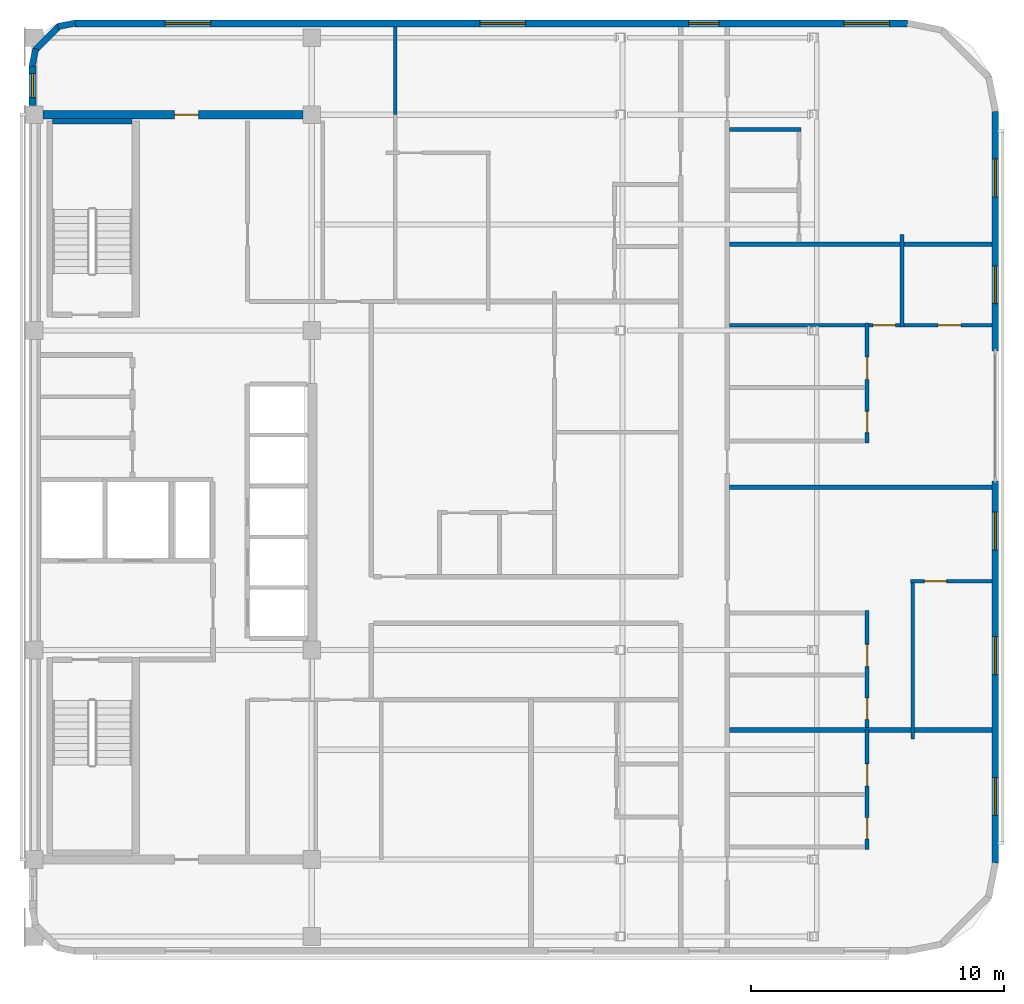
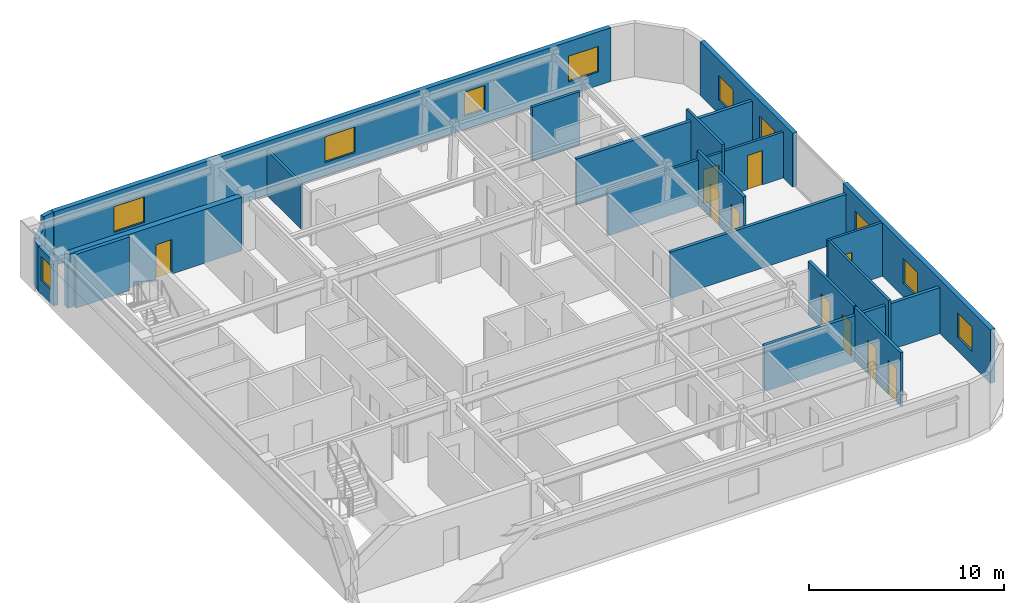
# One storey, part 6 of 10: 21 walls, 10 doors, 10 windows, 20 openings.
"""IFC4 building model written with IfcOpenShell, lengths in metres."""

import ifcopenshell
import ifcopenshell.guid

model = None  # the IFC model being written
_history = None  # IfcOwnerHistory: only IFC2X3 demands one
_inside = {}  # id of a spatial element -> (the spatial element, [elements in it])
_under = {}  # id of a project, library or spatial element -> (it, [spatial elements below it])
_declared = {}  # id of a project -> (the project, [libraries it declares])
_typed = {}  # id of a type object -> (the type object, [elements of that type])
_made_of = {}  # id of a material, layer set ... -> (it, [elements and type objects made of it])


def new_model(schema):
    """Start an empty IFC model of exactly this schema.

    Asked for "IFC4X3", IfcOpenShell would pick the latest addendum, in which some entities
    have other attributes; the version numbers below select the first issue.
    IFC2X3 requires an IfcOwnerHistory on every rooted entity: one is made here for all.
    """
    global model, _history
    if schema == "IFC4X3":
        model = ifcopenshell.file(schema_version=(4, 3, 0, 0))
    else:
        model = ifcopenshell.file(schema=schema)
    _inside.clear()
    _under.clear()
    _declared.clear()
    _typed.clear()
    _made_of.clear()
    _history = None
    if model.schema == "IFC2X3":
        org = make("IfcOrganization", Name="unknown")
        user = make(
            "IfcPersonAndOrganization",
            ThePerson=make("IfcPerson", FamilyName="unknown"),
            TheOrganization=org,
        )
        app = make(
            "IfcApplication",
            ApplicationDeveloper=org,
            Version="unknown",
            ApplicationFullName="unknown",
            ApplicationIdentifier="unknown",
        )
        _history = make(
            "IfcOwnerHistory",
            OwningUser=user,
            OwningApplication=app,
            ChangeAction="ADDED",
            CreationDate=0,
        )
    return model


def make(cls, **values):
    """One entity of the class cls with the attributes given. An attribute that is None is left unset."""
    return model.create_entity(
        cls, **{name: value for name, value in values.items() if value is not None}
    )


def rooted(cls, **values):
    """An entity with a GlobalId (a new one), such as an element, a storey or a relation."""
    return make(cls, GlobalId=ifcopenshell.guid.new(), OwnerHistory=_history, **values)


def si_unit(unit_type, name, prefix=None):
    """IfcSIUnit, for example si_unit("LENGTHUNIT", "METRE", prefix="MILLI")."""
    return make("IfcSIUnit", UnitType=unit_type, Prefix=prefix, Name=name)


def assignment(units):
    """IfcUnitAssignment: the units of a project."""
    return None if units is None else make("IfcUnitAssignment", Units=units)


def point(xyz):
    """IfcCartesianPoint."""
    return None if xyz is None else make("IfcCartesianPoint", Coordinates=xyz)


def direction(xyz):
    """IfcDirection."""
    return None if xyz is None else make("IfcDirection", DirectionRatios=xyz)


def frame(location, z_axis=None, x_axis=None):
    """IfcAxis2Placement3D, a coordinate frame: its origin and axes. An axis left out is left unset."""
    return make(
        "IfcAxis2Placement3D",
        Location=point(location),
        Axis=direction(z_axis),
        RefDirection=direction(x_axis),
    )


def frame_2d(location, x_axis=None):
    """IfcAxis2Placement2D, a coordinate frame in the plane: its origin and x axis."""
    return make(
        "IfcAxis2Placement2D", Location=point(location), RefDirection=direction(x_axis)
    )


def origin():
    """The frame at (0, 0, 0) with its axes left unset."""
    return frame((0.0, 0.0, 0.0))


def place(relative_to, where):
    """IfcLocalPlacement: puts the frame where relative to a parent placement (None: the world)."""
    return make(
        "IfcLocalPlacement", PlacementRelTo=relative_to, RelativePlacement=where
    )


def context(
    kind, dimensions, precision=None, world=None, true_north=None, identifier=None
):
    """IfcGeometricRepresentationContext, for example the 3D "Model" context."""
    return make(
        "IfcGeometricRepresentationContext",
        ContextIdentifier=identifier,
        ContextType=kind,
        CoordinateSpaceDimension=dimensions,
        Precision=precision,
        WorldCoordinateSystem=world,
        TrueNorth=true_north,
    )


def subcontext(parent, identifier, kind, view, scale=None):
    """IfcGeometricRepresentationSubContext, for example "Body" below "Model"."""
    return make(
        "IfcGeometricRepresentationSubContext",
        ContextIdentifier=identifier,
        ContextType=kind,
        ParentContext=parent,
        TargetScale=scale,
        TargetView=view,
    )


def project(units=None, contexts=None):
    """IfcProject with its units and contexts."""
    return rooted(
        "IfcProject",
        Name="project",
        RepresentationContexts=contexts,
        UnitsInContext=assignment(units),
    )


def spatial(cls, under=None, at=None, **own):
    """A site, building, storey or space (cls), placed at a placement, below another one or the project."""
    s = rooted(cls, ObjectPlacement=at, **own)
    if under is not None:
        _under.setdefault(under.id(), (under, []))[1].append(s)
    return s


def profile(cls, at=None, kind="AREA", **sizes):
    """A parametric profile (cls). Its sizes go by their IFC names, for example OverallWidth=200.0."""
    return make(cls, ProfileType=kind, Position=at, **sizes)


def rectangle(**sizes):
    """IfcRectangleProfileDef."""
    return profile("IfcRectangleProfileDef", **sizes)


def extrude(swept, where, along, depth):
    """IfcExtrudedAreaSolid: the profile swept, set in the frame where, extruded along a direction by depth."""
    return make(
        "IfcExtrudedAreaSolid",
        SweptArea=swept,
        Position=where,
        ExtrudedDirection=direction(along),
        Depth=depth,
    )


def shape(context_of_items, identifier, shape_type, items):
    """IfcShapeRepresentation: the items that make up one representation, for example the "Body"."""
    return make(
        "IfcShapeRepresentation",
        ContextOfItems=context_of_items,
        RepresentationIdentifier=identifier,
        RepresentationType=shape_type,
        Items=items,
    )


def material(Name=None, Category=None):
    """IfcMaterial."""
    return make("IfcMaterial", Name=Name, Category=Category)


def layer(
    of_material, thickness, ventilated=None, Name=None, Category=None, Priority=None
):
    """IfcMaterialLayer: one layer of a wall or slab, of a material (None: an air gap)."""
    return make(
        "IfcMaterialLayer",
        Material=of_material,
        LayerThickness=thickness,
        IsVentilated=ventilated,
        Name=Name,
        Category=Category,
        Priority=Priority,
    )


def layer_set(layers, Name=None):
    """IfcMaterialLayerSet."""
    return make("IfcMaterialLayerSet", MaterialLayers=layers, LayerSetName=Name)


def made_of(thing, what):
    """Note that an element or type object is made of a material, layer set ...; save() writes the relation."""
    if what is not None:
        _made_of.setdefault(what.id(), (what, []))[1].append(thing)
    return thing


def type_object(cls, material=None, **own):
    """A type object (cls), such as IfcWallType, which elements share."""
    return made_of(rooted(cls, **own), material)


def element(
    cls,
    number,
    at=None,
    inside=None,
    cuts=None,
    type_object=None,
    material=None,
    context=None,
    identifier="Body",
    shape_type=None,
    held_by="IfcProductDefinitionShape",
    body=None,
    shapes=None,
    **own,
):
    """One element of the class cls, such as IfcWall. Its Tag is "e" and its number.

    at: its placement. inside: the storey or other place that contains it. cuts: it is an
    opening in that element (IfcRelVoidsElement). A single representation is given by context,
    identifier, shape_type and body (its items); several are given by shapes. held_by: the class
    of the entity that holds the representations. save() writes the other relations.
    """
    e = rooted(cls, Tag="e%d" % number, ObjectPlacement=at, **own)
    if body is not None:
        shapes = [shape(context, identifier, shape_type, body)]
    if shapes is not None:
        e.Representation = make(held_by, Representations=shapes)
    if inside is not None:
        _inside.setdefault(inside.id(), (inside, []))[1].append(e)
    if cuts is not None:
        rooted(
            "IfcRelVoidsElement", RelatingBuildingElement=cuts, RelatedOpeningElement=e
        )
    if type_object is not None:
        _typed.setdefault(type_object.id(), (type_object, []))[1].append(e)
    return made_of(e, material)


def fill(opening, filler):
    """IfcRelFillsElement: the door or window that sits in an opening."""
    return rooted(
        "IfcRelFillsElement",
        RelatingOpeningElement=opening,
        RelatedBuildingElement=filler,
    )


def aggregate(whole, parts):
    """IfcRelAggregates: a whole, such as a stair, and the parts it consists of."""
    return rooted("IfcRelAggregates", RelatingObject=whole, RelatedObjects=parts)


def save(model, path):
    """Write the relations noted so far, then the file.

    IfcRelAggregates (storeys below a building ...), IfcRelContainedInSpatialStructure (elements
    in a storey), IfcRelDefinesByType, IfcRelAssociatesMaterial and IfcRelDeclares: one each for
    every whole, place, type object, material and project.
    """
    for whole, parts in _under.values():
        aggregate(whole, parts)
    for where, things in _inside.values():
        rooted(
            "IfcRelContainedInSpatialStructure",
            RelatedElements=things,
            RelatingStructure=where,
        )
    for kind, things in _typed.values():
        rooted("IfcRelDefinesByType", RelatedObjects=things, RelatingType=kind)
    for what, things in _made_of.values():
        rooted("IfcRelAssociatesMaterial", RelatedObjects=things, RelatingMaterial=what)
    for by, libraries in _declared.values():
        rooted("IfcRelDeclares", RelatingContext=by, RelatedDefinitions=libraries)
    model.write(path)


model = new_model("IFC4")

# Units and contexts
model_context = context("Model", 3, precision=1e-05, world=origin(), true_north=direction((0.0, 1.0)))
body_context = subcontext(model_context, "Body", "Model", "MODEL_VIEW")
ifc_project = project(units=[si_unit("LENGTHUNIT", "METRE"), si_unit("AREAUNIT", "SQUARE_METRE"), si_unit("VOLUMEUNIT", "CUBIC_METRE"), si_unit("PLANEANGLEUNIT", "RADIAN"), si_unit("MASSUNIT", "GRAM", prefix="KILO")], contexts=[model_context])

# Site, building, storey
site_placement = place(None, origin())
site = spatial("IfcSite", under=ifc_project, at=site_placement, CompositionType="ELEMENT")
building_placement = place(site_placement, origin())
building = spatial("IfcBuilding", under=site, at=building_placement, Name="Ochreholt Gables", CompositionType="ELEMENT")
storey_placement = place(building_placement, frame((0.0, 0.0, 213.0)))
storey = spatial("IfcBuildingStorey", under=building, at=storey_placement, Name="L55", CompositionType="ELEMENT", Elevation=213.0)

# Wall, opening, door
ifc_material_1 = material(Name="Concrete 50 MPa", Category="concrete")
ifc_layer_1 = layer(ifc_material_1, 0.35009765625, Name="Concrete 50 MPa")
ifc_layer_set_1 = layer_set([ifc_layer_1], Name="Concrete 50 MPa")
wall_type_1 = type_object("IfcWallType", Name="WALL-CSW-350", PredefinedType="SHEAR", material=ifc_layer_set_1)
wall_1_placement = place(storey_placement, frame((24.550048828125, 38.75, 0.0), z_axis=(0.0, 0.0, 1.0), x_axis=(1.0, 0.0, 0.0)))
wall_1 = element("IfcWall", 1, at=wall_1_placement, inside=storey, type_object=wall_type_1, Name="L55 Core North Shear Wall", PredefinedType="SHEAR", context=body_context, shape_type="SweptSolid", body=[
    extrude(rectangle(XDim=10.300048828125, YDim=0.35009765625, at=frame_2d((5.14990234375, 0.0))), origin(), (0.0, 0.0, 1.0), 3.360107421875),
])
opening_1_placement = place(wall_1_placement, frame((5.199951171875, 0.0, 0.0)))
opening_1 = element("IfcOpeningElement", 2, at=opening_1_placement, cuts=wall_1, Name="Opening D-FL2", PredefinedType="OPENING", context=body_context, shape_type="SweptSolid", body=[
    extrude(rectangle(XDim=0.949951171875, YDim=2.14990234375, at=frame_2d((0.47509765625, 1.074951171875))), frame((0.0, 0.18505859375, 0.0), z_axis=(0.0, -1.0, 0.0), x_axis=(1.0, 0.0, 0.0)), (0.0, 0.0, 1.0), 0.3701171875),
])
ifc_material_2 = material(Name="Hollow Metal Steel", Category="steel")
door_type_1 = type_object("IfcDoorType", Name="DR-INT-FLB950", OperationType="NOTDEFINED", PredefinedType="DOOR", material=ifc_material_2)
door_1_placement = place(opening_1_placement, origin())
door_1 = element("IfcDoor", 3, at=door_1_placement, inside=storey, type_object=door_type_1, Name="L55 Door D-C3NSR-L55", OperationType="SINGLE_SWING_RIGHT", OverallHeight=2.14990234375, OverallWidth=0.949951171875, PredefinedType="DOOR", context=body_context, shape_type="SweptSolid", body=[
    extrude(rectangle(XDim=0.949951171875, YDim=2.14990234375, at=frame_2d((0.47509765625, 1.074951171875))), frame((0.0, 0.02490234375, 0.0), z_axis=(0.0, -1.0, 0.0), x_axis=(1.0, 0.0, 0.0)), (0.0, 0.0, 1.0), 0.050048828125),
])
fill(opening_1, door_1)

# Wall, openings, windows
ifc_material_3 = material(Name="Precast concrete 40 MPa", Category="concrete")
ifc_layer_2 = layer(ifc_material_3, 0.27001953125, Name="Precast concrete 40 MPa")
ifc_layer_set_2 = layer_set([ifc_layer_2], Name="Precast concrete 40 MPa")
wall_type_2 = type_object("IfcWallType", Name="WALL-EXT-270", PredefinedType="SOLIDWALL", material=ifc_layer_set_2)
wall_2_placement = place(storey_placement, frame((62.264892578125, 9.1201171875, 0.0), z_axis=(0.0, 0.0, 1.0), x_axis=(0.0, 1.0, 0.0)))
wall_2 = element("IfcWall", 4, at=wall_2_placement, inside=storey, type_object=wall_type_2, Name="L55 East Facade Wall 1", PredefinedType="SOLIDWALL", context=body_context, shape_type="SweptSolid", body=[
    extrude(rectangle(XDim=15.1298828125, YDim=0.27001953125, at=frame_2d((7.56494140625, 0.0))), origin(), (0.0, 0.0, 1.0), 3.360107421875),
])
opening_2_placement = place(wall_2_placement, frame((1.8798828125, 0.0, 0.85009765625)))
opening_2 = element("IfcOpeningElement", 5, at=opening_2_placement, cuts=wall_2, Name="Opening WN-2", PredefinedType="OPENING", context=body_context, shape_type="SweptSolid", body=[
    extrude(rectangle(XDim=1.5, YDim=1.550048828125, at=frame_2d((0.75, 0.77490234375))), frame((0.0, 0.14501953125, 0.0), z_axis=(0.0, -1.0, 0.0), x_axis=(1.0, 0.0, 0.0)), (0.0, 0.0, 1.0), 0.2900390625),
])
opening_3_placement = place(wall_2_placement, frame((7.455078125, 0.0, 0.85009765625)))
opening_3 = element("IfcOpeningElement", 6, at=opening_3_placement, cuts=wall_2, Name="Opening WN-2", PredefinedType="OPENING", context=body_context, shape_type="SweptSolid", body=[
    extrude(rectangle(XDim=1.5, YDim=1.550048828125, at=frame_2d((0.75, 0.77490234375))), frame((0.0, 0.14501953125, 0.0), z_axis=(0.0, -1.0, 0.0), x_axis=(1.0, 0.0, 0.0)), (0.0, 0.0, 1.0), 0.2900390625),
])
opening_4_placement = place(wall_2_placement, frame((12.389892578125, 0.0, 0.85009765625)))
opening_4 = element("IfcOpeningElement", 7, at=opening_4_placement, cuts=wall_2, Name="Opening WN-2", PredefinedType="OPENING", context=body_context, shape_type="SweptSolid", body=[
    extrude(rectangle(XDim=1.5, YDim=1.550048828125, at=frame_2d((0.75, 0.77490234375))), frame((0.0, 0.14501953125, 0.0), z_axis=(0.0, -1.0, 0.0), x_axis=(1.0, 0.0, 0.0)), (0.0, 0.0, 1.0), 0.2900390625),
])
ifc_material_4 = material(Name="Triple-Glazed Thermally Broken Aluminium Window", Category="aluminium")
window_type_1 = type_object("IfcWindowType", Name="WIN-RES-1500", PartitioningType="SINGLE_PANEL", PredefinedType="WINDOW", material=ifc_material_4)
window_1_placement = place(opening_2_placement, origin())
window_1 = element("IfcWindow", 8, at=window_1_placement, inside=storey, type_object=window_type_1, Name="L55 Window W-EXT-E1-L55-1", OverallHeight=1.550048828125, OverallWidth=1.5, PartitioningType="SINGLE_PANEL", PredefinedType="WINDOW", context=body_context, shape_type="SweptSolid", body=[
    extrude(rectangle(XDim=1.5, YDim=1.550048828125, at=frame_2d((0.75, 0.77490234375))), frame((0.0, 0.030029296875, 0.0), z_axis=(0.0, -1.0, 0.0), x_axis=(1.0, 0.0, 0.0)), (0.0, 0.0, 1.0), 0.06005859375),
])
fill(opening_2, window_1)
window_2_placement = place(opening_3_placement, origin())
window_2 = element("IfcWindow", 9, at=window_2_placement, inside=storey, type_object=window_type_1, Name="L55 Window W-EXT-E1-L55-2", OverallHeight=1.550048828125, OverallWidth=1.5, PartitioningType="SINGLE_PANEL", PredefinedType="WINDOW", context=body_context, shape_type="SweptSolid", body=[
    extrude(rectangle(XDim=1.5, YDim=1.550048828125, at=frame_2d((0.75, 0.77490234375))), frame((0.0, 0.030029296875, 0.0), z_axis=(0.0, -1.0, 0.0), x_axis=(1.0, 0.0, 0.0)), (0.0, 0.0, 1.0), 0.06005859375),
])
fill(opening_3, window_2)
window_3_placement = place(opening_4_placement, origin())
window_3 = element("IfcWindow", 10, at=window_3_placement, inside=storey, type_object=window_type_1, Name="L55 Window W-EXT-E1-L55-3", OverallHeight=1.550048828125, OverallWidth=1.5, PartitioningType="SINGLE_PANEL", PredefinedType="WINDOW", context=body_context, shape_type="SweptSolid", body=[
    extrude(rectangle(XDim=1.5, YDim=1.550048828125, at=frame_2d((0.75, 0.77490234375))), frame((0.0, 0.030029296875, 0.0), z_axis=(0.0, -1.0, 0.0), x_axis=(1.0, 0.0, 0.0)), (0.0, 0.0, 1.0), 0.06005859375),
])
fill(opening_4, window_3)

wall_3_placement = place(storey_placement, frame((62.264892578125, 29.39990234375, 0.0), z_axis=(0.0, 0.0, 1.0), x_axis=(0.0, 1.0, 0.0)))
wall_3 = element("IfcWall", 11, at=wall_3_placement, inside=storey, type_object=wall_type_2, Name="L55 East Facade Wall 2", PredefinedType="SOLIDWALL", context=body_context, shape_type="SweptSolid", body=[
    extrude(rectangle(XDim=9.47998046875, YDim=0.27001953125, at=frame_2d((4.739990234375, 0.0))), origin(), (0.0, 0.0, 1.0), 3.360107421875),
])
opening_5_placement = place(wall_3_placement, frame((1.867431640625, 0.0, 0.85009765625)))
opening_5 = element("IfcOpeningElement", 12, at=opening_5_placement, cuts=wall_3, Name="Opening WN-2", PredefinedType="OPENING", context=body_context, shape_type="SweptSolid", body=[
    extrude(rectangle(XDim=1.5, YDim=1.550048828125, at=frame_2d((0.75, 0.77490234375))), frame((0.0, 0.14501953125, 0.0), z_axis=(0.0, -1.0, 0.0), x_axis=(1.0, 0.0, 0.0)), (0.0, 0.0, 1.0), 0.2900390625),
])
opening_6_placement = place(wall_3_placement, frame((6.10009765625, 0.0, 0.85009765625)))
opening_6 = element("IfcOpeningElement", 13, at=opening_6_placement, cuts=wall_3, Name="Opening WN-2", PredefinedType="OPENING", context=body_context, shape_type="SweptSolid", body=[
    extrude(rectangle(XDim=1.5, YDim=1.550048828125, at=frame_2d((0.75, 0.77490234375))), frame((0.0, 0.14501953125, 0.0), z_axis=(0.0, -1.0, 0.0), x_axis=(1.0, 0.0, 0.0)), (0.0, 0.0, 1.0), 0.2900390625),
])
window_4_placement = place(opening_5_placement, origin())
window_4 = element("IfcWindow", 14, at=window_4_placement, inside=storey, type_object=window_type_1, Name="L55 Window W-EXT-E2-L55-1", OverallHeight=1.550048828125, OverallWidth=1.5, PartitioningType="SINGLE_PANEL", PredefinedType="WINDOW", context=body_context, shape_type="SweptSolid", body=[
    extrude(rectangle(XDim=1.5, YDim=1.550048828125, at=frame_2d((0.75, 0.77490234375))), frame((0.0, 0.030029296875, 0.0), z_axis=(0.0, -1.0, 0.0), x_axis=(1.0, 0.0, 0.0)), (0.0, 0.0, 1.0), 0.06005859375),
])
fill(opening_5, window_4)
window_5_placement = place(opening_6_placement, origin())
window_5 = element("IfcWindow", 15, at=window_5_placement, inside=storey, type_object=window_type_1, Name="L55 Window W-EXT-E2-L55-2", OverallHeight=1.550048828125, OverallWidth=1.5, PartitioningType="SINGLE_PANEL", PredefinedType="WINDOW", context=body_context, shape_type="SweptSolid", body=[
    extrude(rectangle(XDim=1.5, YDim=1.550048828125, at=frame_2d((0.75, 0.77490234375))), frame((0.0, 0.030029296875, 0.0), z_axis=(0.0, -1.0, 0.0), x_axis=(1.0, 0.0, 0.0)), (0.0, 0.0, 1.0), 0.06005859375),
])
fill(opening_6, window_5)

wall_4_placement = place(storey_placement, frame((58.780029296875, 42.364990234375, 0.0), z_axis=(0.0, 0.0, 1.0), x_axis=(-1.0, 0.0, 0.0)))
wall_4 = element("IfcWall", 16, at=wall_4_placement, inside=storey, type_object=wall_type_2, Name="L55 North Exterior Wall", PredefinedType="SOLIDWALL", context=body_context, shape_type="SweptSolid", body=[
    extrude(rectangle(XDim=32.9599609375, YDim=0.27001953125, at=frame_2d((16.47998046875, 0.0))), origin(), (0.0, 0.0, 1.0), 3.360107421875),
])
opening_7_placement = place(wall_4_placement, frame((27.590087890625, 0.0, 0.85009765625)))
opening_7 = element("IfcOpeningElement", 17, at=opening_7_placement, cuts=wall_4, Name="Opening WN-1", PredefinedType="OPENING", context=body_context, shape_type="SweptSolid", body=[
    extrude(rectangle(XDim=1.800048828125, YDim=1.60009765625, at=frame_2d((0.89990234375, 0.800048828125))), frame((0.0, 0.14501953125, 0.0), z_axis=(0.0, -1.0, 0.0), x_axis=(1.0, 0.0, 0.0)), (0.0, 0.0, 1.0), 0.2900390625),
])
opening_8_placement = place(wall_4_placement, frame((15.123046875, 0.0, 0.85009765625)))
opening_8 = element("IfcOpeningElement", 18, at=opening_8_placement, cuts=wall_4, Name="Opening WN-1", PredefinedType="OPENING", context=body_context, shape_type="SweptSolid", body=[
    extrude(rectangle(XDim=1.800048828125, YDim=1.60009765625, at=frame_2d((0.89990234375, 0.800048828125))), frame((0.0, 0.14501953125, 0.0), z_axis=(0.0, -1.0, 0.0), x_axis=(1.0, 0.0, 0.0)), (0.0, 0.0, 1.0), 0.2900390625),
])
opening_9_placement = place(wall_4_placement, frame((7.455078125, 0.0, 0.85009765625)))
opening_9 = element("IfcOpeningElement", 19, at=opening_9_placement, cuts=wall_4, Name="Opening WN-3", PredefinedType="OPENING", context=body_context, shape_type="SweptSolid", body=[
    extrude(rectangle(XDim=1.199951171875, YDim=1.5, at=frame_2d((0.60009765625, 0.75))), frame((0.0, 0.14501953125, 0.0), z_axis=(0.0, -1.0, 0.0), x_axis=(1.0, 0.0, 0.0)), (0.0, 0.0, 1.0), 0.2900390625),
])
opening_10_placement = place(wall_4_placement, frame((0.71240234375, 0.0, 0.85009765625)))
opening_10 = element("IfcOpeningElement", 20, at=opening_10_placement, cuts=wall_4, Name="Opening WN-1", PredefinedType="OPENING", context=body_context, shape_type="SweptSolid", body=[
    extrude(rectangle(XDim=1.800048828125, YDim=1.60009765625, at=frame_2d((0.89990234375, 0.800048828125))), frame((0.0, 0.14501953125, 0.0), z_axis=(0.0, -1.0, 0.0), x_axis=(1.0, 0.0, 0.0)), (0.0, 0.0, 1.0), 0.2900390625),
])
window_type_2 = type_object("IfcWindowType", Name="WIN-RES-1200", PartitioningType="SINGLE_PANEL", PredefinedType="WINDOW", material=ifc_material_4)
window_6_placement = place(opening_9_placement, origin())
window_6 = element("IfcWindow", 21, at=window_6_placement, inside=storey, type_object=window_type_2, Name="L55 Window W-EXT-N-L55-3", OverallHeight=1.5, OverallWidth=1.199951171875, PartitioningType="SINGLE_PANEL", PredefinedType="WINDOW", context=body_context, shape_type="SweptSolid", body=[
    extrude(rectangle(XDim=1.199951171875, YDim=1.5, at=frame_2d((0.60009765625, 0.75))), frame((0.0, 0.030029296875, 0.0), z_axis=(0.0, -1.0, 0.0), x_axis=(1.0, 0.0, 0.0)), (0.0, 0.0, 1.0), 0.06005859375),
])
fill(opening_9, window_6)
window_type_3 = type_object("IfcWindowType", Name="WIN-RES-1800", PartitioningType="SINGLE_PANEL", PredefinedType="WINDOW", material=ifc_material_4)
window_7_placement = place(opening_7_placement, origin())
window_7 = element("IfcWindow", 22, at=window_7_placement, inside=storey, type_object=window_type_3, Name="L55 Window W-EXT-N-L55-1", OverallHeight=1.60009765625, OverallWidth=1.800048828125, PartitioningType="SINGLE_PANEL", PredefinedType="WINDOW", context=body_context, shape_type="SweptSolid", body=[
    extrude(rectangle(XDim=1.800048828125, YDim=1.60009765625, at=frame_2d((0.89990234375, 0.800048828125))), frame((0.0, 0.030029296875, 0.0), z_axis=(0.0, -1.0, 0.0), x_axis=(1.0, 0.0, 0.0)), (0.0, 0.0, 1.0), 0.06005859375),
])
fill(opening_7, window_7)
window_8_placement = place(opening_8_placement, origin())
window_8 = element("IfcWindow", 23, at=window_8_placement, inside=storey, type_object=window_type_3, Name="L55 Window W-EXT-N-L55-2", OverallHeight=1.60009765625, OverallWidth=1.800048828125, PartitioningType="SINGLE_PANEL", PredefinedType="WINDOW", context=body_context, shape_type="SweptSolid", body=[
    extrude(rectangle(XDim=1.800048828125, YDim=1.60009765625, at=frame_2d((0.89990234375, 0.800048828125))), frame((0.0, 0.030029296875, 0.0), z_axis=(0.0, -1.0, 0.0), x_axis=(1.0, 0.0, 0.0)), (0.0, 0.0, 1.0), 0.06005859375),
])
fill(opening_8, window_8)
window_9_placement = place(opening_10_placement, origin())
window_9 = element("IfcWindow", 24, at=window_9_placement, inside=storey, type_object=window_type_3, Name="L55 Window W-EXT-N-L55-4", OverallHeight=1.60009765625, OverallWidth=1.800048828125, PartitioningType="SINGLE_PANEL", PredefinedType="WINDOW", context=body_context, shape_type="SweptSolid", body=[
    extrude(rectangle(XDim=1.800048828125, YDim=1.60009765625, at=frame_2d((0.89990234375, 0.800048828125))), frame((0.0, 0.030029296875, 0.0), z_axis=(0.0, -1.0, 0.0), x_axis=(1.0, 0.0, 0.0)), (0.0, 0.0, 1.0), 0.06005859375),
])
fill(opening_10, window_9)

# Wall, opening, window
wall_5_placement = place(storey_placement, frame((24.135009765625, 39.1201171875, 0.0), z_axis=(0.0, 0.0, 1.0), x_axis=(0.0, 1.0, 0.0)))
wall_5 = element("IfcWall", 25, at=wall_5_placement, inside=storey, type_object=wall_type_2, Name="L55 West Facade North Bay Wall", PredefinedType="SOLIDWALL", context=body_context, shape_type="SweptSolid", body=[
    extrude(rectangle(XDim=1.559814453125, YDim=0.27001953125, at=frame_2d((0.77978515625, 0.0))), origin(), (0.0, 0.0, 1.0), 2.802978515625),
])
opening_11_placement = place(wall_5_placement, frame((0.304931640625, 0.0, 0.85009765625)))
opening_11 = element("IfcOpeningElement", 26, at=opening_11_placement, cuts=wall_5, Name="Opening WN-10", PredefinedType="OPENING", context=body_context, shape_type="SweptSolid", body=[
    extrude(rectangle(XDim=0.949951171875, YDim=1.5, at=frame_2d((0.47509765625, 0.75))), frame((0.0, 0.14501953125, 0.0), z_axis=(0.0, -1.0, 0.0), x_axis=(1.0, 0.0, 0.0)), (0.0, 0.0, 1.0), 0.2900390625),
])
window_type_4 = type_object("IfcWindowType", Name="WIN-RES-950", PartitioningType="SINGLE_PANEL", PredefinedType="WINDOW", material=ifc_material_4)
window_10_placement = place(opening_11_placement, origin())
window_10 = element("IfcWindow", 27, at=window_10_placement, inside=storey, type_object=window_type_4, Name="L55 North Sky Reading West Window", OverallHeight=1.5, OverallWidth=0.949951171875, PartitioningType="SINGLE_PANEL", PredefinedType="WINDOW", context=body_context, shape_type="SweptSolid", body=[
    extrude(rectangle(XDim=0.949951171875, YDim=1.5, at=frame_2d((0.47509765625, 0.75))), frame((0.0, 0.030029296875, 0.0), z_axis=(0.0, -1.0, 0.0), x_axis=(1.0, 0.0, 0.0)), (0.0, 0.0, 1.0), 0.06005859375),
])
fill(opening_11, window_10)

# Walls
ifc_layer_3 = layer(ifc_material_3, 0.25, Name="Precast concrete 40 MPa")
ifc_layer_set_3 = layer_set([ifc_layer_3], Name="Precast concrete 40 MPa")
wall_type_3 = type_object("IfcWallType", Name="WALL-EXT-CNR", PredefinedType="SOLIDWALL", material=ifc_layer_set_3)
wall_6_placement = place(storey_placement, frame((25.81640625, 42.375732421875, 0.0), z_axis=(0.0, 0.0, 1.0), x_axis=(-0.980812594069, -0.194952956674, 0.0)))
element("IfcWall", 28, at=wall_6_placement, inside=storey, type_object=wall_type_3, Name="L55 Rounded Corner Wall NW-1", PredefinedType="SOLIDWALL", context=body_context, shape_type="SweptSolid", body=[
    extrude(rectangle(XDim=0.686279296875, YDim=0.25, at=frame_2d((0.34326171875, 0.0))), origin(), (0.0, 0.0, 1.0), 3.360107421875),
])
wall_7_placement = place(storey_placement, frame((25.19384765625, 42.26904296875, 0.0), z_axis=(0.0, 0.0, 1.0), x_axis=(-0.707106781187, -0.707106781187, 0.0)))
element("IfcWall", 29, at=wall_7_placement, inside=storey, type_object=wall_type_3, Name="L55 Rounded Corner Wall NW-2", PredefinedType="SOLIDWALL", context=body_context, shape_type="SweptSolid", body=[
    extrude(rectangle(XDim=1.36181640625, YDim=0.25, at=frame_2d((0.680908203125, 0.0))), origin(), (0.0, 0.0, 1.0), 2.802978515625),
])
wall_8_placement = place(storey_placement, frame((24.258056640625, 41.356689453125, 0.0), z_axis=(0.0, 0.0, 1.0), x_axis=(-0.194952956674, -0.980812594069, 0.0)))
element("IfcWall", 30, at=wall_8_placement, inside=storey, type_object=wall_type_3, Name="L55 Rounded Corner Wall NW-3", PredefinedType="SOLIDWALL", context=body_context, shape_type="SweptSolid", body=[
    extrude(rectangle(XDim=0.686279296875, YDim=0.25, at=frame_2d((0.34326171875, 0.0))), origin(), (0.0, 0.0, 1.0), 2.802978515625),
])
ifc_material_5 = material(Name="Double-Stud Acoustic Demising Wall", Category="gypsum")
ifc_layer_4 = layer(ifc_material_5, 0.18505859375, Name="Double-Stud Acoustic Demising Wall")
ifc_layer_set_4 = layer_set([ifc_layer_4], Name="Double-Stud Acoustic Demising Wall")
wall_type_4 = type_object("IfcWallType", Name="WALL-INT-DM185", PredefinedType="PARTITIONING", material=ifc_layer_set_4)
for number, where, z_axis, x_axis, name in (
    (31, (51.739990234375, 14.3798828125, 0.0), (0.0, 0.0, 1.0), (1.0, 0.0, 0.0), "L55 Interior Wall WI-C3UDE2-L55"),
    (32, (51.739990234375, 24.0, 0.0), (0.0, 0.0, 1.0), (1.0, 0.0, 0.0), "L55 Interior Wall WI-C3UDE3-L55"),
    (33, (51.739990234375, 33.6201171875, 0.0), (0.0, 0.0, 1.0), (1.0, 0.0, 0.0), "L55 Interior Wall WI-C3UDE4-L55"),
):
    element("IfcWall", number, at=place(storey_placement, frame(where, z_axis=z_axis, x_axis=x_axis)), inside=storey, type_object=wall_type_4, Name=name, PredefinedType="PARTITIONING", context=body_context, shape_type="SweptSolid", body=[
        extrude(rectangle(XDim=10.389892578125, YDim=0.18505859375, at=frame_2d((5.19482421875, 0.0))), origin(), (0.0, 0.0, 1.0), 2.87890625),
    ])

# Wall, openings, doors
ifc_material_6 = material(Name="Moisture-Resistant Plumbing Chase Wall", Category="gypsum")
ifc_layer_5 = layer(ifc_material_6, 0.159912109375, Name="Moisture-Resistant Plumbing Chase Wall")
ifc_layer_set_5 = layer_set([ifc_layer_5], Name="Moisture-Resistant Plumbing Chase Wall")
wall_type_5 = type_object("IfcWallType", Name="WALL-INT-PL160", PredefinedType="PLUMBINGWALL", material=ifc_layer_set_5)
wall_9_placement = place(storey_placement, frame((57.18994140625, 9.64990234375, 0.0), z_axis=(0.0, 0.0, 1.0), x_axis=(0.0, 1.0, 0.0)))
wall_9 = element("IfcWall", 34, at=wall_9_placement, inside=storey, type_object=wall_type_5, Name="L55 Interior Wall WU-L55E1-WX", PredefinedType="PLUMBINGWALL", context=body_context, shape_type="SweptSolid", body=[
    extrude(rectangle(XDim=4.72998046875, YDim=0.159912109375, at=frame_2d((2.364990234375, 0.0))), origin(), (0.0, 0.0, 1.0), 3.360107421875),
])
opening_12_placement = place(wall_9_placement, frame((0.419921875, 0.0, 0.0)))
opening_12 = element("IfcOpeningElement", 35, at=opening_12_placement, cuts=wall_9, Name="Opening D-BT2", PredefinedType="OPENING", context=body_context, shape_type="SweptSolid", body=[
    extrude(rectangle(XDim=0.840087890625, YDim=2.1201171875, at=frame_2d((0.419921875, 1.06005859375))), frame((0.0, 0.08984375, 0.0), z_axis=(0.0, -1.0, 0.0), x_axis=(1.0, 0.0, 0.0)), (0.0, 0.0, 1.0), 0.179931640625),
])
opening_13_placement = place(wall_9_placement, frame((2.512939453125, 0.0, 0.0)))
opening_13 = element("IfcOpeningElement", 36, at=opening_13_placement, cuts=wall_9, Name="Opening D-GN2", PredefinedType="OPENING", context=body_context, shape_type="SweptSolid", body=[
    extrude(rectangle(XDim=0.8798828125, YDim=2.1201171875, at=frame_2d((0.43994140625, 1.06005859375))), frame((0.0, 0.08984375, 0.0), z_axis=(0.0, -1.0, 0.0), x_axis=(1.0, 0.0, 0.0)), (0.0, 0.0, 1.0), 0.179931640625),
])
ifc_material_7 = material(Name="Engineered Oak Timber", Category="wood")
door_type_2 = type_object("IfcDoorType", Name="DR-INT-BTH840", OperationType="NOTDEFINED", PredefinedType="DOOR", material=ifc_material_7)
door_2_placement = place(opening_12_placement, origin())
door_2 = element("IfcDoor", 37, at=door_2_placement, inside=storey, type_object=door_type_2, Name="L55 Door D-U-L55E1-BTH", OperationType="SINGLE_SWING_LEFT", OverallHeight=2.1201171875, OverallWidth=0.840087890625, PredefinedType="DOOR", context=body_context, shape_type="SweptSolid", body=[
    extrude(rectangle(XDim=0.840087890625, YDim=2.1201171875, at=frame_2d((0.419921875, 1.06005859375))), frame((0.0, 0.02490234375, 0.0), z_axis=(0.0, -1.0, 0.0), x_axis=(1.0, 0.0, 0.0)), (0.0, 0.0, 1.0), 0.050048828125),
])
fill(opening_12, door_2)
door_type_3 = type_object("IfcDoorType", Name="DR-INT-GEN880", OperationType="NOTDEFINED", PredefinedType="DOOR", material=ifc_material_7)
door_3_placement = place(opening_13_placement, origin())
door_3 = element("IfcDoor", 38, at=door_3_placement, inside=storey, type_object=door_type_3, Name="L55 Door D-U-L55E1-KIT", OperationType="SINGLE_SWING_RIGHT", OverallHeight=2.1201171875, OverallWidth=0.8798828125, PredefinedType="DOOR", context=body_context, shape_type="SweptSolid", body=[
    extrude(rectangle(XDim=0.8798828125, YDim=2.1201171875, at=frame_2d((0.43994140625, 1.06005859375))), frame((0.0, 0.02490234375, 0.0), z_axis=(0.0, -1.0, 0.0), x_axis=(1.0, 0.0, 0.0)), (0.0, 0.0, 1.0), 0.050048828125),
])
fill(opening_13, door_3)

wall_10_placement = place(storey_placement, frame((57.18994140625, 14.472412109375, 0.0), z_axis=(0.0, 0.0, 1.0), x_axis=(0.0, 1.0, 0.0)))
wall_10 = element("IfcWall", 39, at=wall_10_placement, inside=storey, type_object=wall_type_5, Name="L55 Interior Wall WU-L55E2-WX", PredefinedType="PLUMBINGWALL", context=body_context, shape_type="SweptSolid", body=[
    extrude(rectangle(XDim=4.6376953125, YDim=0.159912109375, at=frame_2d((2.31884765625, 0.0))), origin(), (0.0, 0.0, 1.0), 3.360107421875),
])
opening_14_placement = place(wall_10_placement, frame((0.327392578125, 0.0, 0.0)))
opening_14 = element("IfcOpeningElement", 40, at=opening_14_placement, cuts=wall_10, Name="Opening D-BT2", PredefinedType="OPENING", context=body_context, shape_type="SweptSolid", body=[
    extrude(rectangle(XDim=0.840087890625, YDim=2.1201171875, at=frame_2d((0.419921875, 1.06005859375))), frame((0.0, 0.08984375, 0.0), z_axis=(0.0, -1.0, 0.0), x_axis=(1.0, 0.0, 0.0)), (0.0, 0.0, 1.0), 0.179931640625),
])
opening_15_placement = place(wall_10_placement, frame((2.42041015625, 0.0, 0.0)))
opening_15 = element("IfcOpeningElement", 41, at=opening_15_placement, cuts=wall_10, Name="Opening D-GN2", PredefinedType="OPENING", context=body_context, shape_type="SweptSolid", body=[
    extrude(rectangle(XDim=0.8798828125, YDim=2.1201171875, at=frame_2d((0.43994140625, 1.06005859375))), frame((0.0, 0.08984375, 0.0), z_axis=(0.0, -1.0, 0.0), x_axis=(1.0, 0.0, 0.0)), (0.0, 0.0, 1.0), 0.179931640625),
])
door_4_placement = place(opening_14_placement, origin())
door_4 = element("IfcDoor", 42, at=door_4_placement, inside=storey, type_object=door_type_2, Name="L55 Door D-U-L55E2-BTH", OperationType="SINGLE_SWING_RIGHT", OverallHeight=2.1201171875, OverallWidth=0.840087890625, PredefinedType="DOOR", context=body_context, shape_type="SweptSolid", body=[
    extrude(rectangle(XDim=0.840087890625, YDim=2.1201171875, at=frame_2d((0.419921875, 1.06005859375))), frame((0.0, 0.02490234375, 0.0), z_axis=(0.0, -1.0, 0.0), x_axis=(1.0, 0.0, 0.0)), (0.0, 0.0, 1.0), 0.050048828125),
])
fill(opening_14, door_4)
door_5_placement = place(opening_15_placement, origin())
door_5 = element("IfcDoor", 43, at=door_5_placement, inside=storey, type_object=door_type_3, Name="L55 Door D-U-L55E2-KIT", OperationType="SINGLE_SWING_LEFT", OverallHeight=2.1201171875, OverallWidth=0.8798828125, PredefinedType="DOOR", context=body_context, shape_type="SweptSolid", body=[
    extrude(rectangle(XDim=0.8798828125, YDim=2.1201171875, at=frame_2d((0.43994140625, 1.06005859375))), frame((0.0, 0.02490234375, 0.0), z_axis=(0.0, -1.0, 0.0), x_axis=(1.0, 0.0, 0.0)), (0.0, 0.0, 1.0), 0.050048828125),
])
fill(opening_15, door_5)

wall_11_placement = place(storey_placement, frame((57.18994140625, 25.739990234375, 0.0), z_axis=(0.0, 0.0, 1.0), x_axis=(0.0, 1.0, 0.0)))
wall_11 = element("IfcWall", 44, at=wall_11_placement, inside=storey, type_object=wall_type_5, Name="L55 Interior Wall WU-L55E3-WX", PredefinedType="PLUMBINGWALL", context=body_context, shape_type="SweptSolid", body=[
    extrude(rectangle(XDim=4.764892578125, YDim=0.159912109375, at=frame_2d((2.38232421875, 0.0))), origin(), (0.0, 0.0, 1.0), 3.360107421875),
])
opening_16_placement = place(wall_11_placement, frame((0.419921875, 0.0, 0.0)))
opening_16 = element("IfcOpeningElement", 45, at=opening_16_placement, cuts=wall_11, Name="Opening D-BT2", PredefinedType="OPENING", context=body_context, shape_type="SweptSolid", body=[
    extrude(rectangle(XDim=0.840087890625, YDim=2.1201171875, at=frame_2d((0.419921875, 1.06005859375))), frame((0.0, 0.08984375, 0.0), z_axis=(0.0, -1.0, 0.0), x_axis=(1.0, 0.0, 0.0)), (0.0, 0.0, 1.0), 0.179931640625),
])
opening_17_placement = place(wall_11_placement, frame((2.529052734375, 0.0, 0.0)))
opening_17 = element("IfcOpeningElement", 46, at=opening_17_placement, cuts=wall_11, Name="Opening D-GN2", PredefinedType="OPENING", context=body_context, shape_type="SweptSolid", body=[
    extrude(rectangle(XDim=0.8798828125, YDim=2.1201171875, at=frame_2d((0.43994140625, 1.06005859375))), frame((0.0, 0.08984375, 0.0), z_axis=(0.0, -1.0, 0.0), x_axis=(1.0, 0.0, 0.0)), (0.0, 0.0, 1.0), 0.179931640625),
])
door_6_placement = place(opening_16_placement, origin())
door_6 = element("IfcDoor", 47, at=door_6_placement, inside=storey, type_object=door_type_2, Name="L55 Door D-U-L55E3-BTH", OperationType="SINGLE_SWING_LEFT", OverallHeight=2.1201171875, OverallWidth=0.840087890625, PredefinedType="DOOR", context=body_context, shape_type="SweptSolid", body=[
    extrude(rectangle(XDim=0.840087890625, YDim=2.1201171875, at=frame_2d((0.419921875, 1.06005859375))), frame((0.0, 0.02490234375, 0.0), z_axis=(0.0, -1.0, 0.0), x_axis=(1.0, 0.0, 0.0)), (0.0, 0.0, 1.0), 0.050048828125),
])
fill(opening_16, door_6)
door_7_placement = place(opening_17_placement, origin())
door_7 = element("IfcDoor", 48, at=door_7_placement, inside=storey, type_object=door_type_3, Name="L55 Door D-U-L55E3-KIT", OperationType="SINGLE_SWING_RIGHT", OverallHeight=2.1201171875, OverallWidth=0.8798828125, PredefinedType="DOOR", context=body_context, shape_type="SweptSolid", body=[
    extrude(rectangle(XDim=0.8798828125, YDim=2.1201171875, at=frame_2d((0.43994140625, 1.06005859375))), frame((0.0, 0.02490234375, 0.0), z_axis=(0.0, -1.0, 0.0), x_axis=(1.0, 0.0, 0.0)), (0.0, 0.0, 1.0), 0.050048828125),
])
fill(opening_17, door_7)

# Walls
wall_12_placement = place(storey_placement, frame((51.739990234375, 38.159912109375, 0.0), z_axis=(0.0, 0.0, 1.0), x_axis=(1.0, 0.0, 0.0)))
element("IfcWall", 49, at=wall_12_placement, inside=storey, type_object=wall_type_5, Name="L55 Interior Wall WU-L55E4-WYN", PredefinedType="PLUMBINGWALL", context=body_context, shape_type="SweptSolid", body=[
    extrude(rectangle(XDim=2.833984375, YDim=0.159912109375, at=frame_2d((1.4169921875, 0.0))), origin(), (0.0, 0.0, 1.0), 3.360107421875),
])
ifc_material_8 = material(Name="Lightweight Stud Partition", Category="gypsum")
ifc_layer_6 = layer(ifc_material_8, 0.14501953125, Name="Lightweight Stud Partition")
ifc_layer_set_6 = layer_set([ifc_layer_6], Name="Lightweight Stud Partition")
wall_type_6 = type_object("IfcWallType", Name="WALL-INT-PT145", PredefinedType="PARTITIONING", material=ifc_layer_set_6)
wall_13_placement = place(storey_placement, frame((58.989990234375, 14.02001953125, 0.0), z_axis=(0.0, 0.0, 1.0), x_axis=(0.0, 1.0, 0.0)))
element("IfcWall", 50, at=wall_13_placement, inside=storey, type_object=wall_type_6, Name="L55 Interior Wall WU-L55E2-STW", PredefinedType="PARTITIONING", context=body_context, shape_type="SweptSolid", body=[
    extrude(rectangle(XDim=6.25, YDim=0.14501953125, at=frame_2d((3.125, 0.0))), origin(), (0.0, 0.0, 1.0), 3.360107421875),
])

# Wall, opening, door
wall_14_placement = place(storey_placement, frame((58.909912109375, 20.27001953125, 0.0), z_axis=(0.0, 0.0, 1.0), x_axis=(1.0, 0.0, 0.0)))
wall_14 = element("IfcWall", 51, at=wall_14_placement, inside=storey, type_object=wall_type_6, Name="L55 Interior Wall WU-L55E2-STN", PredefinedType="PARTITIONING", context=body_context, shape_type="SweptSolid", body=[
    extrude(rectangle(XDim=3.219970703125, YDim=0.14501953125, at=frame_2d((1.60986328125, 0.0))), origin(), (0.0, 0.0, 1.0), 3.360107421875),
])
opening_18_placement = place(wall_14_placement, frame((0.550048828125, 0.0, 0.0)))
opening_18 = element("IfcOpeningElement", 52, at=opening_18_placement, cuts=wall_14, Name="Opening D-GN2", PredefinedType="OPENING", context=body_context, shape_type="SweptSolid", body=[
    extrude(rectangle(XDim=0.8798828125, YDim=2.1201171875, at=frame_2d((0.43994140625, 1.06005859375))), frame((0.0, 0.08251953125, 0.0), z_axis=(0.0, -1.0, 0.0), x_axis=(1.0, 0.0, 0.0)), (0.0, 0.0, 1.0), 0.1650390625),
])
door_8_placement = place(opening_18_placement, origin())
door_8 = element("IfcDoor", 53, at=door_8_placement, inside=storey, type_object=door_type_3, Name="L55 Door D-U-L55E2-STD", OperationType="SINGLE_SWING_RIGHT", OverallHeight=2.1201171875, OverallWidth=0.8798828125, PredefinedType="DOOR", context=body_context, shape_type="SweptSolid", body=[
    extrude(rectangle(XDim=0.8798828125, YDim=2.1201171875, at=frame_2d((0.43994140625, 1.06005859375))), frame((0.0, 0.02490234375, 0.0), z_axis=(0.0, -1.0, 0.0), x_axis=(1.0, 0.0, 0.0)), (0.0, 0.0, 1.0), 0.050048828125),
])
fill(opening_18, door_8)

# Wall, openings, doors
wall_15_placement = place(storey_placement, frame((51.739990234375, 30.414794921875, 0.0), z_axis=(0.0, 0.0, 1.0), x_axis=(1.0, 0.0, 0.0)))
wall_15 = element("IfcWall", 54, at=wall_15_placement, inside=storey, type_object=wall_type_6, Name="L55 Interior Wall WU-L55E3-MN", PredefinedType="PARTITIONING", context=body_context, shape_type="SweptSolid", body=[
    extrude(rectangle(XDim=10.389892578125, YDim=0.14501953125, at=frame_2d((5.19482421875, 0.0))), origin(), (0.0, 0.0, 1.0), 2.87890625),
])
opening_19_placement = place(wall_15_placement, frame((5.68994140625, 0.0, 0.0)))
opening_19 = element("IfcOpeningElement", 55, at=opening_19_placement, cuts=wall_15, Name="Opening D-GN2", PredefinedType="OPENING", context=body_context, shape_type="SweptSolid", body=[
    extrude(rectangle(XDim=0.8798828125, YDim=2.1201171875, at=frame_2d((0.43994140625, 1.06005859375))), frame((0.0, 0.08251953125, 0.0), z_axis=(0.0, -1.0, 0.0), x_axis=(1.0, 0.0, 0.0)), (0.0, 0.0, 1.0), 0.1650390625),
])
opening_20_placement = place(wall_15_placement, frame((8.264892578125, 0.0, 0.0)))
opening_20 = element("IfcOpeningElement", 56, at=opening_20_placement, cuts=wall_15, Name="Opening D-BD1", PredefinedType="OPENING", context=body_context, shape_type="SweptSolid", body=[
    extrude(rectangle(XDim=0.89990234375, YDim=2.139892578125, at=frame_2d((0.449951171875, 1.06982421875))), frame((0.0, 0.08251953125, 0.0), z_axis=(0.0, -1.0, 0.0), x_axis=(1.0, 0.0, 0.0)), (0.0, 0.0, 1.0), 0.1650390625),
])
door_type_4 = type_object("IfcDoorType", Name="DR-INT-BED900", OperationType="NOTDEFINED", PredefinedType="DOOR", material=ifc_material_7)
door_9_placement = place(opening_20_placement, origin())
door_9 = element("IfcDoor", 57, at=door_9_placement, inside=storey, type_object=door_type_4, Name="L55 Door D-U-L55E3-BD1", OperationType="SINGLE_SWING_LEFT", OverallHeight=2.139892578125, OverallWidth=0.89990234375, PredefinedType="DOOR", context=body_context, shape_type="SweptSolid", body=[
    extrude(rectangle(XDim=0.89990234375, YDim=2.139892578125, at=frame_2d((0.449951171875, 1.06982421875))), frame((0.0, 0.02490234375, 0.0), z_axis=(0.0, -1.0, 0.0), x_axis=(1.0, 0.0, 0.0)), (0.0, 0.0, 1.0), 0.050048828125),
])
fill(opening_20, door_9)
door_10_placement = place(opening_19_placement, origin())
door_10 = element("IfcDoor", 58, at=door_10_placement, inside=storey, type_object=door_type_3, Name="L55 Door D-U-L55E3-STD", OperationType="SINGLE_SWING_RIGHT", OverallHeight=2.1201171875, OverallWidth=0.8798828125, PredefinedType="DOOR", context=body_context, shape_type="SweptSolid", body=[
    extrude(rectangle(XDim=0.8798828125, YDim=2.1201171875, at=frame_2d((0.43994140625, 1.06005859375))), frame((0.0, 0.02490234375, 0.0), z_axis=(0.0, -1.0, 0.0), x_axis=(1.0, 0.0, 0.0)), (0.0, 0.0, 1.0), 0.050048828125),
])
fill(opening_19, door_10)

# Walls
wall_16_placement = place(storey_placement, frame((58.570068359375, 30.334716796875, 0.0), z_axis=(0.0, 0.0, 1.0), x_axis=(0.0, 1.0, 0.0)))
element("IfcWall", 59, at=wall_16_placement, inside=storey, type_object=wall_type_6, Name="L55 Interior Wall WU-L55E3-BSD", PredefinedType="PARTITIONING", context=body_context, shape_type="SweptSolid", body=[
    extrude(rectangle(XDim=3.67529296875, YDim=0.14501953125, at=frame_2d((1.837646484375, 0.0))), origin(), (0.0, 0.0, 1.0), 3.360107421875),
])
wall_17_placement = place(storey_placement, frame((38.5, 38.75, 0.0), z_axis=(0.0, 0.0, 1.0), x_axis=(0.0, 1.0, 0.0)))
element("IfcWall", 60, at=wall_17_placement, inside=storey, type_object=wall_type_6, Name="L55 Interior Wall WI-C3NMW-L55", PredefinedType="PARTITIONING", context=body_context, shape_type="SweptSolid", body=[
    extrude(rectangle(XDim=3.47998046875, YDim=0.14501953125, at=frame_2d((1.739990234375, 0.0))), origin(), (0.0, 0.0, 1.0), 2.802978515625),
])
ifc_layer_7 = layer(ifc_material_1, 0.219970703125, Name="Concrete 50 MPa")
ifc_layer_set_7 = layer_set([ifc_layer_7], Name="Concrete 50 MPa")
wall_type_7 = type_object("IfcWallType", Name="WALL-STW-220", PredefinedType="SHEAR", material=ifc_layer_set_7)
wall_18_placement = place(storey_placement, frame((24.919921875, 38.489990234375, 0.0), z_axis=(0.0, 0.0, 1.0), x_axis=(1.0, 0.0, 0.0)))
element("IfcWall", 61, at=wall_18_placement, inside=storey, type_object=wall_type_7, Name="L55 Exit Stair 2 North Wall", PredefinedType="SHEAR", context=body_context, shape_type="SweptSolid", body=[
    extrude(rectangle(XDim=3.16015625, YDim=0.219970703125, at=frame_2d((1.580078125, 0.0))), origin(), (0.0, 0.0, 1.0), 3.360107421875),
])

save(model, "model.ifc")
